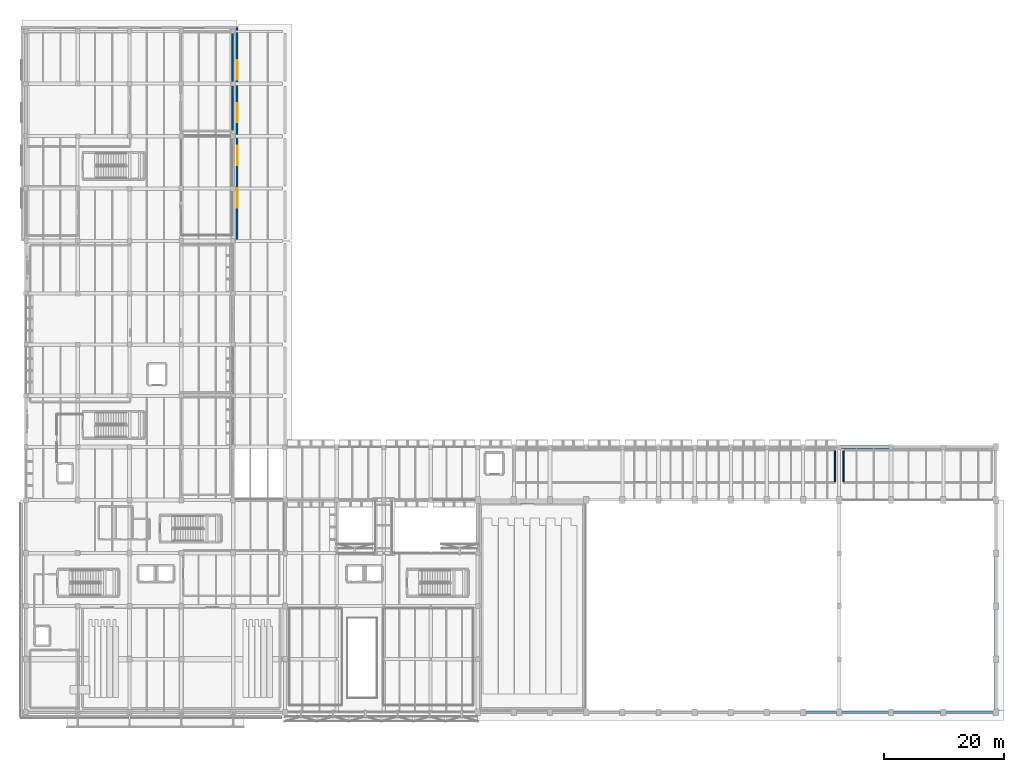
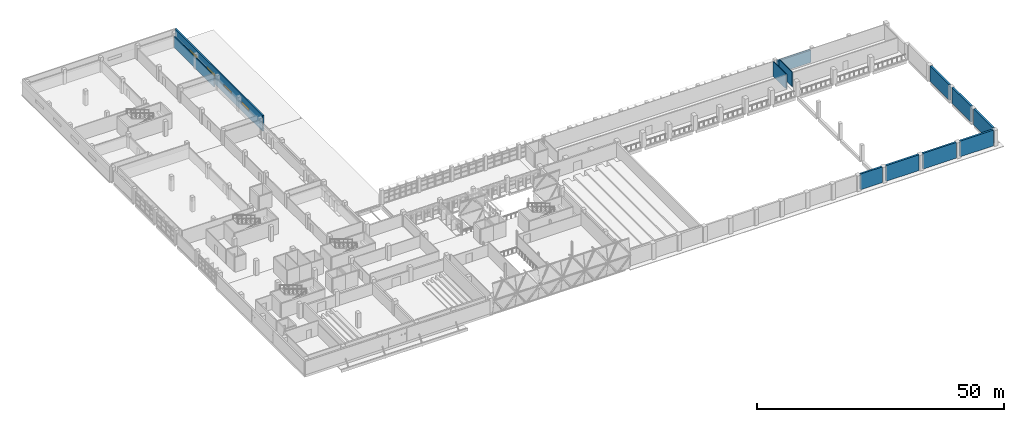
# One storey, part 64 of 80: 12 walls, 4 windows, 4 openings.
"""IFC4 building model written with IfcOpenShell, lengths in metres."""

import ifcopenshell
import ifcopenshell.guid

model = None  # the IFC model being written
_history = None  # IfcOwnerHistory: only IFC2X3 demands one
_inside = {}  # id of a spatial element -> (the spatial element, [elements in it])
_under = {}  # id of a project, library or spatial element -> (it, [spatial elements below it])
_declared = {}  # id of a project -> (the project, [libraries it declares])
_typed = {}  # id of a type object -> (the type object, [elements of that type])
_made_of = {}  # id of a material, layer set ... -> (it, [elements and type objects made of it])


def new_model(schema):
    """Start an empty IFC model of exactly this schema.

    Asked for "IFC4X3", IfcOpenShell would pick the latest addendum, in which some entities
    have other attributes; the version numbers below select the first issue.
    IFC2X3 requires an IfcOwnerHistory on every rooted entity: one is made here for all.
    """
    global model, _history
    if schema == "IFC4X3":
        model = ifcopenshell.file(schema_version=(4, 3, 0, 0))
    else:
        model = ifcopenshell.file(schema=schema)
    _inside.clear()
    _under.clear()
    _declared.clear()
    _typed.clear()
    _made_of.clear()
    _history = None
    if model.schema == "IFC2X3":
        org = make("IfcOrganization", Name="unknown")
        user = make(
            "IfcPersonAndOrganization",
            ThePerson=make("IfcPerson", FamilyName="unknown"),
            TheOrganization=org,
        )
        app = make(
            "IfcApplication",
            ApplicationDeveloper=org,
            Version="unknown",
            ApplicationFullName="unknown",
            ApplicationIdentifier="unknown",
        )
        _history = make(
            "IfcOwnerHistory",
            OwningUser=user,
            OwningApplication=app,
            ChangeAction="ADDED",
            CreationDate=0,
        )
    return model


def make(cls, **values):
    """One entity of the class cls with the attributes given. An attribute that is None is left unset."""
    return model.create_entity(
        cls, **{name: value for name, value in values.items() if value is not None}
    )


def rooted(cls, **values):
    """An entity with a GlobalId (a new one), such as an element, a storey or a relation."""
    return make(cls, GlobalId=ifcopenshell.guid.new(), OwnerHistory=_history, **values)


def si_unit(unit_type, name, prefix=None):
    """IfcSIUnit, for example si_unit("LENGTHUNIT", "METRE", prefix="MILLI")."""
    return make("IfcSIUnit", UnitType=unit_type, Prefix=prefix, Name=name)


def assignment(units):
    """IfcUnitAssignment: the units of a project."""
    return None if units is None else make("IfcUnitAssignment", Units=units)


def point(xyz):
    """IfcCartesianPoint."""
    return None if xyz is None else make("IfcCartesianPoint", Coordinates=xyz)


def direction(xyz):
    """IfcDirection."""
    return None if xyz is None else make("IfcDirection", DirectionRatios=xyz)


def frame(location, z_axis=None, x_axis=None):
    """IfcAxis2Placement3D, a coordinate frame: its origin and axes. An axis left out is left unset."""
    return make(
        "IfcAxis2Placement3D",
        Location=point(location),
        Axis=direction(z_axis),
        RefDirection=direction(x_axis),
    )


def frame_2d(location, x_axis=None):
    """IfcAxis2Placement2D, a coordinate frame in the plane: its origin and x axis."""
    return make(
        "IfcAxis2Placement2D", Location=point(location), RefDirection=direction(x_axis)
    )


def origin():
    """The frame at (0, 0, 0) with its axes left unset."""
    return frame((0.0, 0.0, 0.0))


def place(relative_to, where):
    """IfcLocalPlacement: puts the frame where relative to a parent placement (None: the world)."""
    return make(
        "IfcLocalPlacement", PlacementRelTo=relative_to, RelativePlacement=where
    )


def context(
    kind, dimensions, precision=None, world=None, true_north=None, identifier=None
):
    """IfcGeometricRepresentationContext, for example the 3D "Model" context."""
    return make(
        "IfcGeometricRepresentationContext",
        ContextIdentifier=identifier,
        ContextType=kind,
        CoordinateSpaceDimension=dimensions,
        Precision=precision,
        WorldCoordinateSystem=world,
        TrueNorth=true_north,
    )


def subcontext(parent, identifier, kind, view, scale=None):
    """IfcGeometricRepresentationSubContext, for example "Body" below "Model"."""
    return make(
        "IfcGeometricRepresentationSubContext",
        ContextIdentifier=identifier,
        ContextType=kind,
        ParentContext=parent,
        TargetScale=scale,
        TargetView=view,
    )


def project(units=None, contexts=None):
    """IfcProject with its units and contexts."""
    return rooted(
        "IfcProject",
        Name="project",
        RepresentationContexts=contexts,
        UnitsInContext=assignment(units),
    )


def spatial(cls, under=None, at=None, **own):
    """A site, building, storey or space (cls), placed at a placement, below another one or the project."""
    s = rooted(cls, ObjectPlacement=at, **own)
    if under is not None:
        _under.setdefault(under.id(), (under, []))[1].append(s)
    return s


def profile(cls, at=None, kind="AREA", **sizes):
    """A parametric profile (cls). Its sizes go by their IFC names, for example OverallWidth=200.0."""
    return make(cls, ProfileType=kind, Position=at, **sizes)


def rectangle(**sizes):
    """IfcRectangleProfileDef."""
    return profile("IfcRectangleProfileDef", **sizes)


def extrude(swept, where, along, depth):
    """IfcExtrudedAreaSolid: the profile swept, set in the frame where, extruded along a direction by depth."""
    return make(
        "IfcExtrudedAreaSolid",
        SweptArea=swept,
        Position=where,
        ExtrudedDirection=direction(along),
        Depth=depth,
    )


def shape(context_of_items, identifier, shape_type, items):
    """IfcShapeRepresentation: the items that make up one representation, for example the "Body"."""
    return make(
        "IfcShapeRepresentation",
        ContextOfItems=context_of_items,
        RepresentationIdentifier=identifier,
        RepresentationType=shape_type,
        Items=items,
    )


def material(Name=None, Category=None):
    """IfcMaterial."""
    return make("IfcMaterial", Name=Name, Category=Category)


def layer(
    of_material, thickness, ventilated=None, Name=None, Category=None, Priority=None
):
    """IfcMaterialLayer: one layer of a wall or slab, of a material (None: an air gap)."""
    return make(
        "IfcMaterialLayer",
        Material=of_material,
        LayerThickness=thickness,
        IsVentilated=ventilated,
        Name=Name,
        Category=Category,
        Priority=Priority,
    )


def layer_set(layers, Name=None):
    """IfcMaterialLayerSet."""
    return make("IfcMaterialLayerSet", MaterialLayers=layers, LayerSetName=Name)


def made_of(thing, what):
    """Note that an element or type object is made of a material, layer set ...; save() writes the relation."""
    if what is not None:
        _made_of.setdefault(what.id(), (what, []))[1].append(thing)
    return thing


def type_object(cls, material=None, **own):
    """A type object (cls), such as IfcWallType, which elements share."""
    return made_of(rooted(cls, **own), material)


def element(
    cls,
    number,
    at=None,
    inside=None,
    cuts=None,
    type_object=None,
    material=None,
    context=None,
    identifier="Body",
    shape_type=None,
    held_by="IfcProductDefinitionShape",
    body=None,
    shapes=None,
    **own,
):
    """One element of the class cls, such as IfcWall. Its Tag is "e" and its number.

    at: its placement. inside: the storey or other place that contains it. cuts: it is an
    opening in that element (IfcRelVoidsElement). A single representation is given by context,
    identifier, shape_type and body (its items); several are given by shapes. held_by: the class
    of the entity that holds the representations. save() writes the other relations.
    """
    e = rooted(cls, Tag="e%d" % number, ObjectPlacement=at, **own)
    if body is not None:
        shapes = [shape(context, identifier, shape_type, body)]
    if shapes is not None:
        e.Representation = make(held_by, Representations=shapes)
    if inside is not None:
        _inside.setdefault(inside.id(), (inside, []))[1].append(e)
    if cuts is not None:
        rooted(
            "IfcRelVoidsElement", RelatingBuildingElement=cuts, RelatedOpeningElement=e
        )
    if type_object is not None:
        _typed.setdefault(type_object.id(), (type_object, []))[1].append(e)
    return made_of(e, material)


def fill(opening, filler):
    """IfcRelFillsElement: the door or window that sits in an opening."""
    return rooted(
        "IfcRelFillsElement",
        RelatingOpeningElement=opening,
        RelatedBuildingElement=filler,
    )


def aggregate(whole, parts):
    """IfcRelAggregates: a whole, such as a stair, and the parts it consists of."""
    return rooted("IfcRelAggregates", RelatingObject=whole, RelatedObjects=parts)


def save(model, path):
    """Write the relations noted so far, then the file.

    IfcRelAggregates (storeys below a building ...), IfcRelContainedInSpatialStructure (elements
    in a storey), IfcRelDefinesByType, IfcRelAssociatesMaterial and IfcRelDeclares: one each for
    every whole, place, type object, material and project.
    """
    for whole, parts in _under.values():
        aggregate(whole, parts)
    for where, things in _inside.values():
        rooted(
            "IfcRelContainedInSpatialStructure",
            RelatedElements=things,
            RelatingStructure=where,
        )
    for kind, things in _typed.values():
        rooted("IfcRelDefinesByType", RelatedObjects=things, RelatingType=kind)
    for what, things in _made_of.values():
        rooted("IfcRelAssociatesMaterial", RelatedObjects=things, RelatingMaterial=what)
    for by, libraries in _declared.values():
        rooted("IfcRelDeclares", RelatingContext=by, RelatedDefinitions=libraries)
    model.write(path)


model = new_model("IFC4")

# Units and contexts
model_context = context("Model", 3, precision=1e-05, world=origin(), true_north=direction((0.0, 1.0)))
body_context = subcontext(model_context, "Body", "Model", "MODEL_VIEW")
ifc_project = project(units=[si_unit("LENGTHUNIT", "METRE"), si_unit("AREAUNIT", "SQUARE_METRE"), si_unit("VOLUMEUNIT", "CUBIC_METRE"), si_unit("PLANEANGLEUNIT", "RADIAN"), si_unit("MASSUNIT", "GRAM", prefix="KILO")], contexts=[model_context])

# Site, building, storey
site_placement = place(None, origin())
site = spatial("IfcSite", under=ifc_project, at=site_placement, CompositionType="ELEMENT")
building_placement = place(site_placement, origin())
building = spatial("IfcBuilding", under=site, at=building_placement, Name="Varnakota Cinema and Media Centre", CompositionType="ELEMENT")
storey_placement = place(building_placement, frame((0.0, 0.0, 4.5)))
storey = spatial("IfcBuildingStorey", under=building, at=storey_placement, Name="L01", CompositionType="ELEMENT", Elevation=4.5)

# Walls
ifc_material_1 = material(Name="Autoclaved aerated concrete blockwork", Category="masonry")
ifc_layer_1 = layer(ifc_material_1, 0.2099609375)
ifc_layer_set_1 = layer_set([ifc_layer_1], Name="Autoclaved aerated concrete blockwork")
wall_type_1 = type_object("IfcWallType", Name="W-ACOUST-210", PredefinedType="PARTITIONING", material=ifc_layer_set_1)
wall_1_placement = place(storey_placement, frame((134.304931640625, 43.39990234375, 0.0), z_axis=(0.0, 0.0, 1.0), x_axis=(0.0, -1.0, 0.0)))
element("IfcWall", 1, at=wall_1_placement, inside=storey, type_object=wall_type_1, Name="L01 RWALL-RM-L01-BAR1 E wall", PredefinedType="PARTITIONING", context=body_context, shape_type="SweptSolid", body=[
    extrude(rectangle(XDim=5.199951171875, YDim=0.2099609375, at=frame_2d((2.60009765625, 0.0))), origin(), (0.0, 0.0, 1.0), 3.6298828125),
])
ifc_material_2 = material(Name="Autoclaved aerated concrete blockwork", Category="masonry")
ifc_layer_2 = layer(ifc_material_2, 0.22998046875)
ifc_layer_set_2 = layer_set([ifc_layer_2], Name="Autoclaved aerated concrete blockwork")
wall_type_2 = type_object("IfcWallType", Name="W-BOX-230", PredefinedType="PARTITIONING", material=ifc_layer_set_2)
wall_2_placement = place(storey_placement, frame((34.31494140625, 112.800048828125, 0.0), z_axis=(0.0, 0.0, 1.0), x_axis=(0.0, -1.0, 0.0)))
element("IfcWall", 2, at=wall_2_placement, inside=storey, type_object=wall_type_2, Name="L01 RWALL-RM-L01-TIMING E wall", PredefinedType="PARTITIONING", context=body_context, shape_type="SweptSolid", body=[
    extrude(rectangle(XDim=16.199951171875, YDim=0.22998046875, at=frame_2d((8.10009765625, 0.0))), origin(), (0.0, 0.0, 1.0), 2.830078125),
])

# Wall, openings, windows
ifc_material_3 = material(Name="Concrete M40", Category="concrete")
ifc_layer_3 = layer(ifc_material_3, 0.31005859375)
ifc_layer_set_3 = layer_set([ifc_layer_3], Name="Concrete M40")
wall_type_3 = type_object("IfcWallType", Name="W-EXT-CONC-310", PredefinedType="SOLIDWALL", material=ifc_layer_set_3)
wall_3_placement = place(storey_placement, frame((35.06005859375, 78.199951171875, 0.0), z_axis=(0.0, 0.0, 1.0), x_axis=(0.0, 1.0, 0.0)))
wall_3 = element("IfcWall", 3, at=wall_3_placement, inside=storey, type_object=wall_type_3, Name="L01 V7 plain board-marked concrete wall V7-E", PredefinedType="SOLIDWALL", context=body_context, shape_type="SweptSolid", body=[
    extrude(rectangle(XDim=35.4599609375, YDim=0.31005859375, at=frame_2d((17.72998046875, 0.0))), origin(), (0.0, 0.0, 1.0), 3.89990234375),
])
opening_1_placement = place(wall_3_placement, frame((5.491943359375, 0.0, 1.550048828125)))
opening_1 = element("IfcOpeningElement", 4, at=opening_1_placement, cuts=wall_3, Name="Opening WR01", PredefinedType="OPENING", context=body_context, shape_type="SweptSolid", body=[
    extrude(rectangle(XDim=3.199951171875, YDim=0.699951171875, at=frame_2d((1.60009765625, 0.35009765625))), frame((0.0, 0.155029296875, 0.0), z_axis=(0.0, -1.0, 0.0), x_axis=(1.0, 0.0, 0.0)), (0.0, 0.0, 1.0), 0.31005859375),
])
opening_2_placement = place(wall_3_placement, frame((12.583984375, 0.0, 1.550048828125)))
opening_2 = element("IfcOpeningElement", 5, at=opening_2_placement, cuts=wall_3, Name="Opening WR01", PredefinedType="OPENING", context=body_context, shape_type="SweptSolid", body=[
    extrude(rectangle(XDim=3.199951171875, YDim=0.699951171875, at=frame_2d((1.60009765625, 0.35009765625))), frame((0.0, 0.155029296875, 0.0), z_axis=(0.0, -1.0, 0.0), x_axis=(1.0, 0.0, 0.0)), (0.0, 0.0, 1.0), 0.31005859375),
])
opening_3_placement = place(wall_3_placement, frame((19.676025390625, 0.0, 1.550048828125)))
opening_3 = element("IfcOpeningElement", 6, at=opening_3_placement, cuts=wall_3, Name="Opening WR01", PredefinedType="OPENING", context=body_context, shape_type="SweptSolid", body=[
    extrude(rectangle(XDim=3.199951171875, YDim=0.699951171875, at=frame_2d((1.60009765625, 0.35009765625))), frame((0.0, 0.155029296875, 0.0), z_axis=(0.0, -1.0, 0.0), x_axis=(1.0, 0.0, 0.0)), (0.0, 0.0, 1.0), 0.31005859375),
])
opening_4_placement = place(wall_3_placement, frame((26.76806640625, 0.0, 1.550048828125)))
opening_4 = element("IfcOpeningElement", 7, at=opening_4_placement, cuts=wall_3, Name="Opening WR01", PredefinedType="OPENING", context=body_context, shape_type="SweptSolid", body=[
    extrude(rectangle(XDim=3.199951171875, YDim=0.699951171875, at=frame_2d((1.60009765625, 0.35009765625))), frame((0.0, 0.155029296875, 0.0), z_axis=(0.0, -1.0, 0.0), x_axis=(1.0, 0.0, 0.0)), (0.0, 0.0, 1.0), 0.31005859375),
])
ifc_material_4 = material(Name="Laminated solar-control double glazing", Category="glass")
window_type = type_object("IfcWindowType", Name="WIN-SLOT-320x070", PartitioningType="SINGLE_PANEL", PredefinedType="WINDOW", material=ifc_material_4)
window_1_placement = place(opening_1_placement, origin())
window_1 = element("IfcWindow", 8, at=window_1_placement, inside=storey, type_object=window_type, Name="L01 window WR01", OverallHeight=0.699951171875, OverallWidth=3.199951171875, PartitioningType="SINGLE_PANEL", PredefinedType="WINDOW", context=body_context, shape_type="SweptSolid", body=[
    extrude(rectangle(XDim=3.199951171875, YDim=0.699951171875, at=frame_2d((1.60009765625, 0.35009765625))), frame((0.0, -0.06005859375, 0.0), z_axis=(0.0, -1.0, 0.0), x_axis=(1.0, 0.0, 0.0)), (0.0, 0.0, 1.0), 0.06005859375),
])
fill(opening_1, window_1)
window_2_placement = place(opening_2_placement, origin())
window_2 = element("IfcWindow", 9, at=window_2_placement, inside=storey, type_object=window_type, Name="L01 window WR01", OverallHeight=0.699951171875, OverallWidth=3.199951171875, PartitioningType="SINGLE_PANEL", PredefinedType="WINDOW", context=body_context, shape_type="SweptSolid", body=[
    extrude(rectangle(XDim=3.199951171875, YDim=0.699951171875, at=frame_2d((1.60009765625, 0.35009765625))), frame((0.0, -0.06005859375, 0.0), z_axis=(0.0, -1.0, 0.0), x_axis=(1.0, 0.0, 0.0)), (0.0, 0.0, 1.0), 0.06005859375),
])
fill(opening_2, window_2)
window_3_placement = place(opening_3_placement, origin())
window_3 = element("IfcWindow", 10, at=window_3_placement, inside=storey, type_object=window_type, Name="L01 window WR01", OverallHeight=0.699951171875, OverallWidth=3.199951171875, PartitioningType="SINGLE_PANEL", PredefinedType="WINDOW", context=body_context, shape_type="SweptSolid", body=[
    extrude(rectangle(XDim=3.199951171875, YDim=0.699951171875, at=frame_2d((1.60009765625, 0.35009765625))), frame((0.0, -0.06005859375, 0.0), z_axis=(0.0, -1.0, 0.0), x_axis=(1.0, 0.0, 0.0)), (0.0, 0.0, 1.0), 0.06005859375),
])
fill(opening_3, window_3)
window_4_placement = place(opening_4_placement, origin())
window_4 = element("IfcWindow", 11, at=window_4_placement, inside=storey, type_object=window_type, Name="L01 window WR01", OverallHeight=0.699951171875, OverallWidth=3.199951171875, PartitioningType="SINGLE_PANEL", PredefinedType="WINDOW", context=body_context, shape_type="SweptSolid", body=[
    extrude(rectangle(XDim=3.199951171875, YDim=0.699951171875, at=frame_2d((1.60009765625, 0.35009765625))), frame((0.0, -0.06005859375, 0.0), z_axis=(0.0, -1.0, 0.0), x_axis=(1.0, 0.0, 0.0)), (0.0, 0.0, 1.0), 0.06005859375),
])
fill(opening_4, window_4)

# Walls
ifc_material_5 = material(Name="Deccan grey granite ashlar", Category="masonry")
ifc_layer_4 = layer(ifc_material_5, 0.43994140625)
ifc_layer_set_4 = layer_set([ifc_layer_4], Name="Deccan grey granite ashlar")
wall_type_4 = type_object("IfcWallType", Name="W-EXT-HALL-440", PredefinedType="SOLIDWALL", material=ifc_layer_set_4)
wall_4_placement = place(storey_placement, frame((134.550048828125, 0.0, 0.0), z_axis=(0.0, 0.0, 1.0), x_axis=(-1.0, 0.0, 0.0)))
element("IfcWall", 12, at=wall_4_placement, inside=storey, type_object=wall_type_4, Name="L01 exterior wall V1-S-1", PredefinedType="SOLIDWALL", context=body_context, shape_type="SweptSolid", body=[
    extrude(rectangle(XDim=5.10009765625, YDim=0.43994140625, at=frame_2d((2.550048828125, 0.0))), origin(), (0.0, 0.0, 1.0), 3.89990234375),
])
for number, where, z_axis, x_axis, name in (
    (13, (160.550048828125, 0.0, 0.0), (0.0, 0.0, 1.0), (-1.0, 0.0, 0.0), "L01 exterior wall V2-S-1"),
    (14, (151.85009765625, 0.0, 0.0), (0.0, 0.0, 1.0), (-1.0, 0.0, 0.0), "L01 exterior wall V2-S-2"),
):
    element("IfcWall", number, at=place(storey_placement, frame(where, z_axis=z_axis, x_axis=x_axis)), inside=storey, type_object=wall_type_4, Name=name, PredefinedType="SOLIDWALL", context=body_context, shape_type="SweptSolid", body=[
        extrude(rectangle(XDim=7.800048828125, YDim=0.43994140625, at=frame_2d((3.89990234375, 0.0))), origin(), (0.0, 0.0, 1.0), 3.89990234375),
    ])
for number, where, z_axis, x_axis, name in (
    (15, (143.14990234375, 0.0, 0.0), (0.0, 0.0, 1.0), (-1.0, 0.0, 0.0), "L01 exterior wall V2-S-3"),
    (16, (161.0, 0.550048828125, 0.0), (0.0, 0.0, 1.0), (0.0, 1.0, 0.0), "L01 exterior wall V2-E-HALL-1"),
    (17, (161.0, 9.35009765625, 0.0), (0.0, 0.0, 1.0), (0.0, 1.0, 0.0), "L01 exterior wall V2-E-HALL-2"),
):
    element("IfcWall", number, at=place(storey_placement, frame(where, z_axis=z_axis, x_axis=x_axis)), inside=storey, type_object=wall_type_4, Name=name, PredefinedType="SOLIDWALL", context=body_context, shape_type="SweptSolid", body=[
        extrude(rectangle(XDim=7.699951171875, YDim=0.43994140625, at=frame_2d((3.85009765625, 0.0))), origin(), (0.0, 0.0, 1.0), 3.89990234375),
    ])
wall_5_placement = place(storey_placement, frame((161.0, 18.14990234375, 0.0), z_axis=(0.0, 0.0, 1.0), x_axis=(0.0, 1.0, 0.0)))
element("IfcWall", 18, at=wall_5_placement, inside=storey, type_object=wall_type_4, Name="L01 exterior wall V2-E-HALL-3", PredefinedType="SOLIDWALL", context=body_context, shape_type="SweptSolid", body=[
    extrude(rectangle(XDim=7.7001953125, YDim=0.43994140625, at=frame_2d((3.85009765625, 0.0))), origin(), (0.0, 0.0, 1.0), 3.89990234375),
])
wall_6_placement = place(storey_placement, frame((135.375, 44.0, 0.0), z_axis=(0.0, 0.0, 1.0), x_axis=(1.0, 0.0, 0.0)))
element("IfcWall", 19, at=wall_6_placement, inside=storey, type_object=wall_type_4, Name="L01 exterior wall V2-N-1", PredefinedType="SOLIDWALL", context=body_context, shape_type="SweptSolid", body=[
    extrude(rectangle(XDim=7.875, YDim=0.43994140625, at=frame_2d((3.9375, 0.0))), origin(), (0.0, 0.0, 1.0), 3.034912109375),
])
ifc_material_6 = material(Name="Autoclaved aerated concrete blockwork", Category="masonry")
ifc_layer_5 = layer(ifc_material_6, 0.18994140625)
ifc_layer_set_5 = layer_set([ifc_layer_5], Name="Autoclaved aerated concrete blockwork")
wall_type_5 = type_object("IfcWallType", Name="W-PART-190", PredefinedType="PARTITIONING", material=ifc_layer_set_5)
wall_7_placement = place(storey_placement, frame((135.705078125, 38.199951171875, 0.0), z_axis=(0.0, 0.0, 1.0), x_axis=(0.0, 1.0, 0.0)))
element("IfcWall", 20, at=wall_7_placement, inside=storey, type_object=wall_type_5, Name="L01 RWALL-RM-L01-BCTRL W wall", PredefinedType="PARTITIONING", context=body_context, shape_type="SweptSolid", body=[
    extrude(rectangle(XDim=5.199951171875, YDim=0.18994140625, at=frame_2d((2.60009765625, 0.0))), origin(), (0.0, 0.0, 1.0), 3.6298828125),
])

save(model, "model.ifc")
